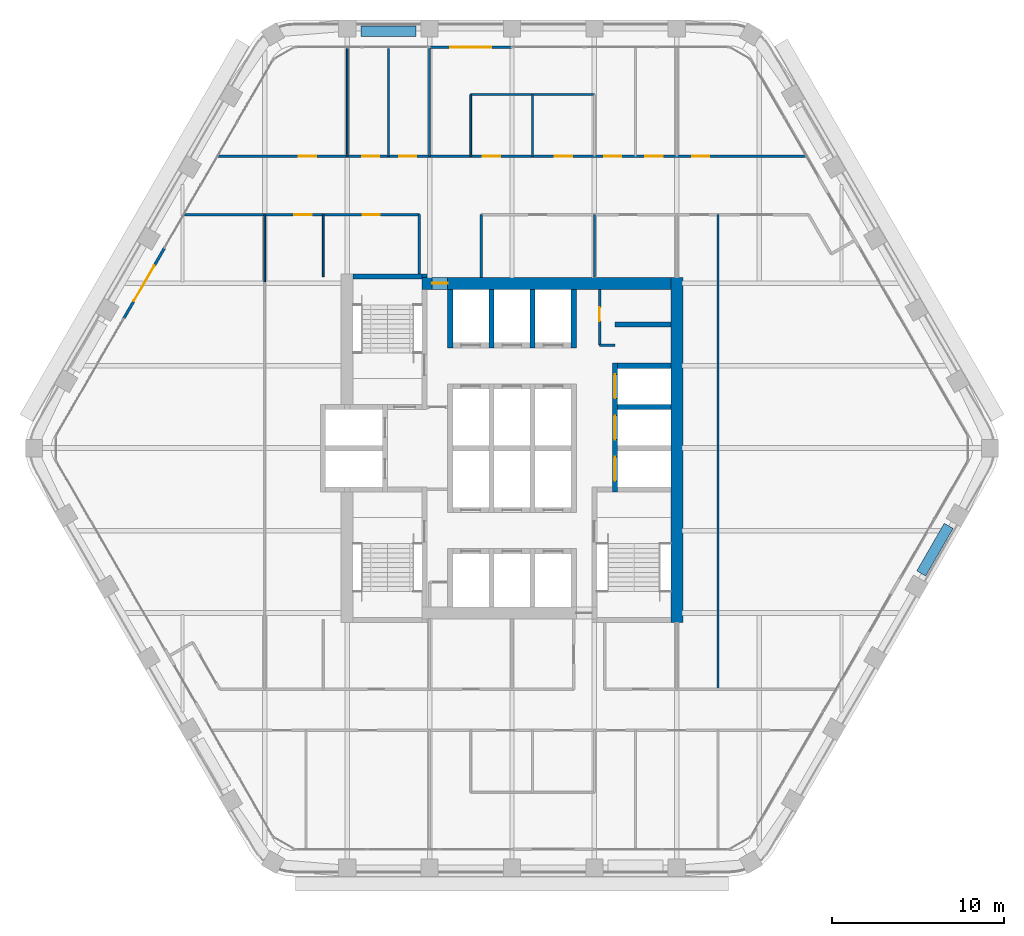
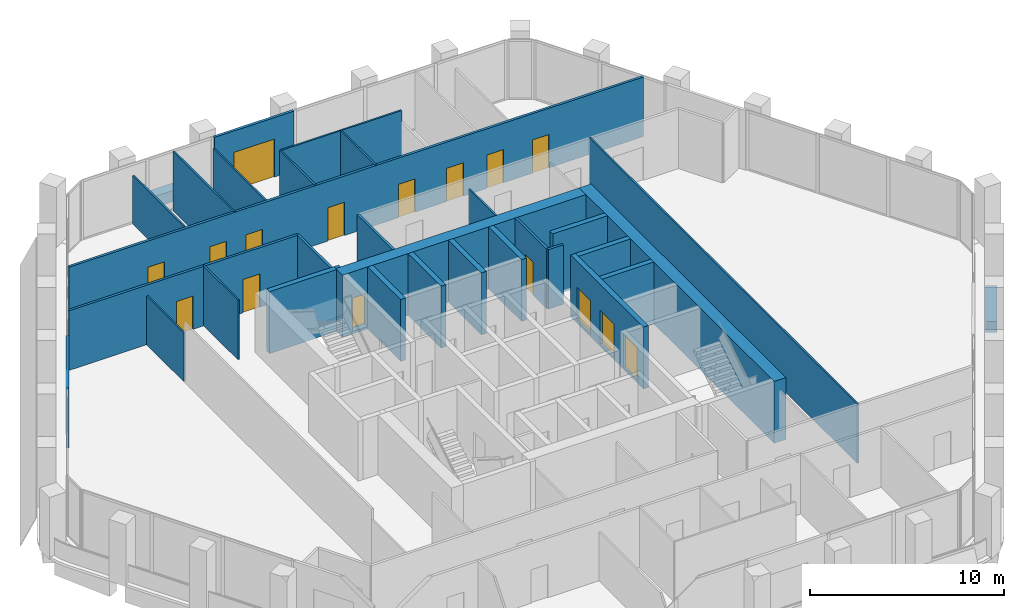
# One storey, part 11 of 15: 32 walls, 17 doors, 17 openings.
"""IFC4 building model written with IfcOpenShell, lengths in metres."""

from ifc_helpers import new_model, si_unit, direction, frame, frame_2d, origin, place, context, subcontext, project, spatial, rectangle, extrude, material, layer, layer_set, type_object, element, fill, save


model = new_model("IFC4")

# Units and contexts
model_context = context("Model", 3, precision=1e-05, world=origin(), true_north=direction((0.0, 1.0)))
body_context = subcontext(model_context, "Body", "Model", "MODEL_VIEW")
ifc_project = project(units=[si_unit("LENGTHUNIT", "METRE"), si_unit("AREAUNIT", "SQUARE_METRE"), si_unit("VOLUMEUNIT", "CUBIC_METRE"), si_unit("PLANEANGLEUNIT", "RADIAN"), si_unit("MASSUNIT", "GRAM", prefix="KILO")], contexts=[model_context])

# Site, building, storey
site_placement = place(None, origin())
site = spatial("IfcSite", under=ifc_project, at=site_placement, CompositionType="ELEMENT")
building_placement = place(site_placement, origin())
building = spatial("IfcBuilding", under=site, at=building_placement, Name="Kolab Exchange Tower", CompositionType="ELEMENT")
storey_placement = place(building_placement, frame((0.0, 0.0, 173.89990234375)))
storey = spatial("IfcBuildingStorey", under=building, at=storey_placement, Name="L36", CompositionType="ELEMENT", Elevation=173.89990234375)

# Wall, opening, door
ifc_material_1 = material(Name="Concrete C60/75", Category="concrete")
ifc_layer_1 = layer(ifc_material_1, 0.699951171875)
ifc_layer_set_1 = layer_set([ifc_layer_1], Name="Concrete C60/75")
wall_type_1 = type_object("IfcWallType", Name="CORE WALL 700 C60/75", PredefinedType="SHEAR", material=ifc_layer_set_1)
wall_1_placement = place(storey_placement, frame((-5.25, 9.60009765625, -0.14990234375), z_axis=(0.0, 0.0, 1.0), x_axis=(1.0, 0.0, 0.0)))
wall_1 = element("IfcWall", 1, at=wall_1_placement, inside=storey, type_object=wall_type_1, Name="wall/L36/core/031", PredefinedType="SHEAR", context=body_context, shape_type="SweptSolid", body=[
    extrude(rectangle(XDim=14.5, YDim=0.699951171875, at=frame_2d((7.25, 0.0))), origin(), (0.0, 0.0, 1.0), 3.89990234375),
])
opening_1_placement = place(wall_1_placement, frame((0.60009765625, 0.0, 0.14990234375)))
opening_1 = element("IfcOpeningElement", 2, at=opening_1_placement, cuts=wall_1, Name="Opening D6-289", PredefinedType="OPENING", context=body_context, shape_type="SweptSolid", body=[
    extrude(rectangle(XDim=0.89990234375, YDim=2.10009765625, at=frame_2d((0.449951171875, 1.050048828125))), frame((0.0, 0.35986328125, 0.0), z_axis=(0.0, -1.0, 0.0), x_axis=(1.0, 0.0, 0.0)), (0.0, 0.0, 1.0), 0.719970703125),
])
ifc_material_2 = material(Name="Steel S235", Category="steel")
door_type_1 = type_object("IfcDoorType", Name="CORE DOOR 900 EI 120", OperationType="SINGLE_SWING_LEFT", PredefinedType="DOOR", material=ifc_material_2)
door_1_placement = place(opening_1_placement, frame((0.89990234375, 0.0, 0.0), z_axis=(0.0, 0.0, 1.0), x_axis=(-1.0, 0.0, 0.0)))
door_1 = element("IfcDoor", 3, at=door_1_placement, inside=storey, type_object=door_type_1, Name="Core lobby door", OperationType="SINGLE_SWING_RIGHT", OverallHeight=2.10009765625, OverallWidth=0.89990234375, PredefinedType="DOOR", context=body_context, shape_type="SweptSolid", body=[
    extrude(rectangle(XDim=0.89990234375, YDim=2.10009765625, at=frame_2d((0.449951171875, 1.050048828125))), frame((0.0, 0.02490234375, 0.0), z_axis=(0.0, -1.0, 0.0), x_axis=(1.0, 0.0, 0.0)), (0.0, 0.0, 1.0), 0.050048828125),
])
fill(opening_1, door_1)

# Wall
wall_2_placement = place(storey_placement, frame((9.60009765625, -10.14990234375, -0.14990234375), z_axis=(0.0, 0.0, 1.0), x_axis=(0.0, 1.0, 0.0)))
element("IfcWall", 4, at=wall_2_placement, inside=storey, type_object=wall_type_1, Name="wall/L36/core/058", PredefinedType="SHEAR", context=body_context, shape_type="SweptSolid", body=[
    extrude(rectangle(XDim=20.099853515625, YDim=0.699951171875, at=frame_2d((10.0498046875, 0.0))), origin(), (0.0, 0.0, 1.0), 3.89990234375),
])

# Wall, opening, door
ifc_material_3 = material(Name="Aluminium EN AW-6063 T6", Category="aluminium")
ifc_layer_2 = layer(ifc_material_3, 0.159912109375)
ifc_layer_set_2 = layer_set([ifc_layer_2], Name="Aluminium EN AW-6063 T6")
wall_type_2 = type_object("IfcWallType", Name="DOOR SURROUND WALL 160 ALUMINIUM FRAMED", PredefinedType="PARTITIONING", material=ifc_layer_set_2)
wall_3_placement = place(storey_placement, frame((-4.77001953125, 23.361572265625, 0.0), z_axis=(0.0, 0.0, 1.0), x_axis=(1.0, 0.0, 0.0)))
wall_3 = element("IfcWall", 5, at=wall_3_placement, inside=storey, type_object=wall_type_2, Name="Door surround wall", PredefinedType="PARTITIONING", context=body_context, shape_type="SweptSolid", body=[
    extrude(rectangle(XDim=4.739990234375, YDim=0.159912109375, at=frame_2d((2.3701171875, 0.0))), origin(), (0.0, 0.0, 1.0), 3.75),
])
opening_2_placement = place(wall_3_placement, frame((1.169921875, 0.0, 0.0)))
opening_2 = element("IfcOpeningElement", 6, at=opening_2_placement, cuts=wall_3, Name="Opening GD1-064", PredefinedType="OPENING", context=body_context, shape_type="SweptSolid", body=[
    extrude(rectangle(XDim=2.39990234375, YDim=2.39990234375, at=frame_2d((1.199951171875, 1.199951171875))), frame((0.0, 0.08984375, 0.0), z_axis=(0.0, -1.0, 0.0), x_axis=(1.0, 0.0, 0.0)), (0.0, 0.0, 1.0), 0.179931640625),
])
door_type_2 = type_object("IfcDoorType", Name="LOGGIA SLIDING GLASS DOOR 2400 X 2400", OperationType="DOUBLE_DOOR_SINGLE_SWING", PredefinedType="DOOR", material=ifc_material_3)
door_2_placement = place(opening_2_placement, origin())
door_2 = element("IfcDoor", 7, at=door_2_placement, inside=storey, type_object=door_type_2, Name="Loggia door", OperationType="DOUBLE_DOOR_SLIDING", OverallHeight=2.39990234375, OverallWidth=2.39990234375, PredefinedType="DOOR", context=body_context, shape_type="SweptSolid", body=[
    extrude(rectangle(XDim=2.39990234375, YDim=2.39990234375, at=frame_2d((1.199951171875, 1.199951171875))), frame((0.0, 0.02490234375, 0.0), z_axis=(0.0, -1.0, 0.0), x_axis=(1.0, 0.0, 0.0)), (0.0, 0.0, 1.0), 0.050048828125),
])
fill(opening_2, door_2)

wall_4_placement = place(storey_placement, frame((-22.61669921875, 7.5498046875, 0.0), z_axis=(0.0, 0.0, 1.0), x_axis=(0.5000167099, 0.866015756104, 0.0)))
wall_4 = element("IfcWall", 8, at=wall_4_placement, inside=storey, type_object=wall_type_2, Name="Door surround wall", PredefinedType="PARTITIONING", context=body_context, shape_type="SweptSolid", body=[
    extrude(rectangle(XDim=4.739990234375, YDim=0.159912109375, at=frame_2d((2.3701171875, 0.0))), origin(), (0.0, 0.0, 1.0), 3.75),
])
opening_3_placement = place(wall_4_placement, frame((1.169921875, 0.0, 0.0)))
opening_3 = element("IfcOpeningElement", 9, at=opening_3_placement, cuts=wall_4, Name="Opening GD1-069", PredefinedType="OPENING", context=body_context, shape_type="SweptSolid", body=[
    extrude(rectangle(XDim=2.39990234375, YDim=2.39990234375, at=frame_2d((1.199951171875, 1.199951171875))), frame((0.0, 0.08984375, 0.0), z_axis=(0.0, -1.0, 0.0), x_axis=(1.0, 0.0, 0.0)), (0.0, 0.0, 1.0), 0.179931640625),
])
door_3_placement = place(opening_3_placement, origin())
door_3 = element("IfcDoor", 10, at=door_3_placement, inside=storey, type_object=door_type_2, Name="Loggia door", OperationType="DOUBLE_DOOR_SLIDING", OverallHeight=2.39990234375, OverallWidth=2.39990234375, PredefinedType="DOOR", context=body_context, shape_type="SweptSolid", body=[
    extrude(rectangle(XDim=2.39990234375, YDim=2.39990234375, at=frame_2d((1.199951171875, 1.199951171875))), frame((0.0, 0.02490234375, 0.0), z_axis=(0.0, -1.0, 0.0), x_axis=(1.0, 0.0, 0.0)), (0.0, 0.0, 1.0), 0.050048828125),
])
fill(opening_3, door_3)

# Walls
ifc_material_4 = material(Name="Concrete C50/60", Category="concrete")
ifc_layer_3 = layer(ifc_material_4, 0.300048828125)
ifc_layer_set_3 = layer_set([ifc_layer_3], Name="Concrete C50/60")
wall_type_3 = type_object("IfcWallType", Name="LIFT SHAFT WALL 300 C50/60", PredefinedType="STANDARD", material=ifc_layer_set_3)
for number, where, z_axis, x_axis, name in (
    (11, (6.14990234375, 2.39990234375, -0.14990234375), (0.0, 0.0, 1.0), (1.0, 0.0, 0.0), "wall/L36/core/022"),
    (12, (6.14990234375, 4.800048828125, -0.14990234375), (0.0, 0.0, 1.0), (1.0, 0.0, 0.0), "wall/L36/core/026"),
):
    element("IfcWall", number, at=place(storey_placement, frame(where, z_axis=z_axis, x_axis=x_axis)), inside=storey, type_object=wall_type_3, Name=name, PredefinedType="STANDARD", context=body_context, shape_type="SweptSolid", body=[
        extrude(rectangle(XDim=3.10009765625, YDim=0.300048828125, at=frame_2d((1.550048828125, 0.0))), origin(), (0.0, 0.0, 1.0), 3.89990234375),
    ])
wall_5_placement = place(storey_placement, frame((6.0, 7.199951171875, -0.14990234375), z_axis=(0.0, 0.0, 1.0), x_axis=(1.0, 0.0, 0.0)))
element("IfcWall", 13, at=wall_5_placement, inside=storey, type_object=wall_type_3, Name="wall/L36/core/030", PredefinedType="STANDARD", context=body_context, shape_type="SweptSolid", body=[
    extrude(rectangle(XDim=3.25, YDim=0.300048828125, at=frame_2d((1.625, 0.0))), origin(), (0.0, 0.0, 1.0), 3.89990234375),
])
for number, where, z_axis, x_axis, name in (
    (14, (-3.60009765625, 5.85009765625, -0.14990234375), (0.0, 0.0, 1.0), (0.0, 1.0, 0.0), "wall/L36/core/045"),
    (15, (-1.199951171875, 5.85009765625, -0.14990234375), (0.0, 0.0, 1.0), (0.0, 1.0, 0.0), "wall/L36/core/048"),
    (16, (1.199951171875, 5.85009765625, -0.14990234375), (0.0, 0.0, 1.0), (0.0, 1.0, 0.0), "wall/L36/core/051"),
    (17, (3.60009765625, 5.85009765625, -0.14990234375), (0.0, 0.0, 1.0), (0.0, 1.0, 0.0), "wall/L36/core/054"),
):
    element("IfcWall", number, at=place(storey_placement, frame(where, z_axis=z_axis, x_axis=x_axis)), inside=storey, type_object=wall_type_3, Name=name, PredefinedType="STANDARD", context=body_context, shape_type="SweptSolid", body=[
        extrude(rectangle(XDim=3.39990234375, YDim=0.300048828125, at=frame_2d((1.699951171875, 0.0))), origin(), (0.0, 0.0, 1.0), 3.89990234375),
    ])

# Wall, openings, doors
wall_6_placement = place(storey_placement, frame((6.0, -2.550048828125, -0.14990234375), z_axis=(0.0, 0.0, 1.0), x_axis=(0.0, 1.0, 0.0)))
wall_6 = element("IfcWall", 18, at=wall_6_placement, inside=storey, type_object=wall_type_3, Name="wall/L36/core/057", PredefinedType="STANDARD", context=body_context, shape_type="SweptSolid", body=[
    extrude(rectangle(XDim=7.5, YDim=0.300048828125, at=frame_2d((3.75, 0.0))), origin(), (0.0, 0.0, 1.0), 3.89990234375),
])
opening_4_placement = place(wall_6_placement, frame((0.64990234375, 0.0, 0.14990234375)))
opening_4 = element("IfcOpeningElement", 19, at=opening_4_placement, cuts=wall_6, Name="Opening LD3-037", PredefinedType="OPENING", context=body_context, shape_type="SweptSolid", body=[
    extrude(rectangle(XDim=1.39990234375, YDim=2.10009765625, at=frame_2d((0.699951171875, 1.050048828125))), frame((0.0, 0.16015625, 0.0), z_axis=(0.0, -1.0, 0.0), x_axis=(1.0, 0.0, 0.0)), (0.0, 0.0, 1.0), 0.320068359375),
])
opening_5_placement = place(wall_6_placement, frame((3.050048828125, 0.0, 0.14990234375)))
opening_5 = element("IfcOpeningElement", 20, at=opening_5_placement, cuts=wall_6, Name="Opening LD3-038", PredefinedType="OPENING", context=body_context, shape_type="SweptSolid", body=[
    extrude(rectangle(XDim=1.39990234375, YDim=2.10009765625, at=frame_2d((0.699951171875, 1.050048828125))), frame((0.0, 0.16015625, 0.0), z_axis=(0.0, -1.0, 0.0), x_axis=(1.0, 0.0, 0.0)), (0.0, 0.0, 1.0), 0.320068359375),
])
opening_6_placement = place(wall_6_placement, frame((5.449951171875, 0.0, 0.14990234375)))
opening_6 = element("IfcOpeningElement", 21, at=opening_6_placement, cuts=wall_6, Name="Opening LD3-039", PredefinedType="OPENING", context=body_context, shape_type="SweptSolid", body=[
    extrude(rectangle(XDim=1.39990234375, YDim=2.10009765625, at=frame_2d((0.699951171875, 1.050048828125))), frame((0.0, 0.16015625, 0.0), z_axis=(0.0, -1.0, 0.0), x_axis=(1.0, 0.0, 0.0)), (0.0, 0.0, 1.0), 0.320068359375),
])
ifc_material_5 = material(Name="Stainless steel 316", Category="steel")
door_type_3 = type_object("IfcDoorType", Name="LANDING DOOR 1400 SERVICE", OperationType="DOUBLE_DOOR_SLIDING", PredefinedType="DOOR", material=ifc_material_5)
door_4_placement = place(opening_4_placement, origin())
door_4 = element("IfcDoor", 22, at=door_4_placement, inside=storey, type_object=door_type_3, Name="Landing door SV1", OperationType="DOUBLE_DOOR_SLIDING", OverallHeight=2.10009765625, OverallWidth=1.39990234375, PredefinedType="DOOR", context=body_context, shape_type="SweptSolid", body=[
    extrude(rectangle(XDim=1.39990234375, YDim=2.10009765625, at=frame_2d((0.699951171875, 1.050048828125))), frame((0.0, 0.02490234375, 0.0), z_axis=(0.0, -1.0, 0.0), x_axis=(1.0, 0.0, 0.0)), (0.0, 0.0, 1.0), 0.050048828125),
])
fill(opening_4, door_4)
door_5_placement = place(opening_5_placement, origin())
door_5 = element("IfcDoor", 23, at=door_5_placement, inside=storey, type_object=door_type_3, Name="Landing door SV2", OperationType="DOUBLE_DOOR_SLIDING", OverallHeight=2.10009765625, OverallWidth=1.39990234375, PredefinedType="DOOR", context=body_context, shape_type="SweptSolid", body=[
    extrude(rectangle(XDim=1.39990234375, YDim=2.10009765625, at=frame_2d((0.699951171875, 1.050048828125))), frame((0.0, 0.02490234375, 0.0), z_axis=(0.0, -1.0, 0.0), x_axis=(1.0, 0.0, 0.0)), (0.0, 0.0, 1.0), 0.050048828125),
])
fill(opening_5, door_5)
door_6_placement = place(opening_6_placement, origin())
door_6 = element("IfcDoor", 24, at=door_6_placement, inside=storey, type_object=door_type_3, Name="Landing door SV3", OperationType="DOUBLE_DOOR_SLIDING", OverallHeight=2.10009765625, OverallWidth=1.39990234375, PredefinedType="DOOR", context=body_context, shape_type="SweptSolid", body=[
    extrude(rectangle(XDim=1.39990234375, YDim=2.10009765625, at=frame_2d((0.699951171875, 1.050048828125))), frame((0.0, 0.02490234375, 0.0), z_axis=(0.0, -1.0, 0.0), x_axis=(1.0, 0.0, 0.0)), (0.0, 0.0, 1.0), 0.050048828125),
])
fill(opening_6, door_6)

# Walls
ifc_material_6 = material(Name="Gypsum board", Category="gypsum")
ifc_layer_4 = layer(ifc_material_6, 0.10009765625)
ifc_layer_set_4 = layer_set([ifc_layer_4], Name="Gypsum board")
wall_type_4 = type_object("IfcWallType", Name="PARTITION 100", PredefinedType="PARTITIONING", material=ifc_layer_set_4)
wall_7_placement = place(storey_placement, frame((12.0, -14.04150390625, 0.0), z_axis=(0.0, 0.0, 1.0), x_axis=(0.0, 1.0, 0.0)))
element("IfcWall", 25, at=wall_7_placement, inside=storey, type_object=wall_type_4, Name="Partition 001", PredefinedType="PARTITIONING", context=body_context, shape_type="SweptSolid", body=[
    extrude(rectangle(XDim=27.6416015625, YDim=0.10009765625, at=frame_2d((13.82080078125, 0.0))), origin(), (0.0, 0.0, 1.0), 3.75),
])
wall_8_placement = place(storey_placement, frame((4.800048828125, 9.949951171875, 0.0), z_axis=(0.0, 0.0, 1.0), x_axis=(0.0, 1.0, 0.0)))
element("IfcWall", 26, at=wall_8_placement, inside=storey, type_object=wall_type_4, Name="Partition 010", PredefinedType="PARTITIONING", context=body_context, shape_type="SweptSolid", body=[
    extrude(rectangle(XDim=3.650146484375, YDim=0.10009765625, at=frame_2d((1.8251953125, 0.0))), origin(), (0.0, 0.0, 1.0), 3.066162109375),
])
for number, where, z_axis, x_axis, name in (
    (27, (1.199951171875, 17.0, 0.0), (0.0, 0.0, 1.0), (0.0, 1.0, 0.0), "Partition 014"),
    (28, (-2.39990234375, 17.0, 0.0), (0.0, 0.0, 1.0), (0.0, 1.0, 0.0), "Partition 018"),
):
    element("IfcWall", number, at=place(storey_placement, frame(where, z_axis=z_axis, x_axis=x_axis)), inside=storey, type_object=wall_type_4, Name=name, PredefinedType="PARTITIONING", context=body_context, shape_type="SweptSolid", body=[
        extrude(rectangle(XDim=3.60009765625, YDim=0.10009765625, at=frame_2d((1.800048828125, 0.0))), origin(), (0.0, 0.0, 1.0), 3.75),
    ])
wall_9_placement = place(storey_placement, frame((-4.800048828125, 17.0, 0.0), z_axis=(0.0, 0.0, 1.0), x_axis=(0.0, 1.0, 0.0)))
element("IfcWall", 29, at=wall_9_placement, inside=storey, type_object=wall_type_4, Name="Partition 021", PredefinedType="PARTITIONING", context=body_context, shape_type="SweptSolid", body=[
    extrude(rectangle(XDim=6.281494140625, YDim=0.10009765625, at=frame_2d((3.140625, 0.0))), origin(), (0.0, 0.0, 1.0), 3.066162109375),
])
wall_10_placement = place(storey_placement, frame((-7.199951171875, 17.0, 0.0), z_axis=(0.0, 0.0, 1.0), x_axis=(0.0, 1.0, 0.0)))
element("IfcWall", 30, at=wall_10_placement, inside=storey, type_object=wall_type_4, Name="Partition 024", PredefinedType="PARTITIONING", context=body_context, shape_type="SweptSolid", body=[
    extrude(rectangle(XDim=6.271484375, YDim=0.10009765625, at=frame_2d((3.1357421875, 0.0))), origin(), (0.0, 0.0, 1.0), 3.75),
])
wall_11_placement = place(storey_placement, frame((-9.60009765625, 17.0, 0.0), z_axis=(0.0, 0.0, 1.0), x_axis=(0.0, 1.0, 0.0)))
element("IfcWall", 31, at=wall_11_placement, inside=storey, type_object=wall_type_4, Name="Partition 025", PredefinedType="PARTITIONING", context=body_context, shape_type="SweptSolid", body=[
    extrude(rectangle(XDim=6.271484375, YDim=0.10009765625, at=frame_2d((3.1357421875, 0.0))), origin(), (0.0, 0.0, 1.0), 3.066162109375),
])
wall_12_placement = place(storey_placement, frame((-11.0, 10.0, 0.0), z_axis=(0.0, 0.0, 1.0), x_axis=(0.0, 1.0, 0.0)))
element("IfcWall", 32, at=wall_12_placement, inside=storey, type_object=wall_type_4, Name="Partition 027", PredefinedType="PARTITIONING", context=body_context, shape_type="SweptSolid", body=[
    extrude(rectangle(XDim=3.60009765625, YDim=0.10009765625, at=frame_2d((1.800048828125, 0.0))), origin(), (0.0, 0.0, 1.0), 3.75),
])
wall_13_placement = place(storey_placement, frame((-14.39990234375, 9.693603515625, 0.0), z_axis=(0.0, 0.0, 1.0), x_axis=(0.0, 1.0, 0.0)))
element("IfcWall", 33, at=wall_13_placement, inside=storey, type_object=wall_type_4, Name="Partition 029", PredefinedType="PARTITIONING", context=body_context, shape_type="SweptSolid", body=[
    extrude(rectangle(XDim=3.906494140625, YDim=0.10009765625, at=frame_2d((1.953125, 0.0))), origin(), (0.0, 0.0, 1.0), 3.066162109375),
])
wall_14_placement = place(storey_placement, frame((-2.39990234375, 20.60009765625, 0.0), z_axis=(0.0, 0.0, 1.0), x_axis=(1.0, 0.0, 0.0)))
element("IfcWall", 34, at=wall_14_placement, inside=storey, type_object=wall_type_4, Name="Partition 043", PredefinedType="PARTITIONING", context=body_context, shape_type="SweptSolid", body=[
    extrude(rectangle(XDim=7.199951171875, YDim=0.10009765625, at=frame_2d((3.60009765625, 0.0))), origin(), (0.0, 0.0, 1.0), 3.75),
])

# Wall, opening, door
ifc_layer_5 = layer(ifc_material_6, 0.14990234375)
ifc_layer_set_5 = layer_set([ifc_layer_5], Name="Gypsum board")
wall_type_5 = type_object("IfcWallType", Name="PARTITION 150 FIRE-RATED", PredefinedType="PARTITIONING", material=ifc_layer_set_5)
wall_15_placement = place(storey_placement, frame((5.10009765625, 6.0, 0.0), z_axis=(0.0, 0.0, 1.0), x_axis=(0.0, 1.0, 0.0)))
wall_15 = element("IfcWall", 35, at=wall_15_placement, inside=storey, type_object=wall_type_5, Name="Partition 008", PredefinedType="PARTITIONING", context=body_context, shape_type="SweptSolid", body=[
    extrude(rectangle(XDim=3.25, YDim=0.14990234375, at=frame_2d((1.625, 0.0))), origin(), (0.0, 0.0, 1.0), 3.75),
])
opening_7_placement = place(wall_15_placement, frame((1.39990234375, 0.0, 0.0)))
opening_7 = element("IfcOpeningElement", 36, at=opening_7_placement, cuts=wall_15, Name="Opening D7-033", PredefinedType="OPENING", context=body_context, shape_type="SweptSolid", body=[
    extrude(rectangle(XDim=0.800048828125, YDim=2.10009765625, at=frame_2d((0.39990234375, 1.050048828125))), frame((0.0, 0.0849609375, 0.0), z_axis=(0.0, -1.0, 0.0), x_axis=(1.0, 0.0, 0.0)), (0.0, 0.0, 1.0), 0.169921875),
])
door_type_4 = type_object("IfcDoorType", Name="FLUSH DOOR 800 FD60", OperationType="SINGLE_SWING_LEFT", PredefinedType="DOOR", material=ifc_material_2)
door_7_placement = place(opening_7_placement, frame((0.800048828125, 0.0, 0.0), z_axis=(0.0, 0.0, 1.0), x_axis=(-1.0, 0.0, 0.0)))
door_7 = element("IfcDoor", 37, at=door_7_placement, inside=storey, type_object=door_type_4, Name="Door L36-023", OperationType="SINGLE_SWING_LEFT", OverallHeight=2.10009765625, OverallWidth=0.800048828125, PredefinedType="DOOR", context=body_context, shape_type="SweptSolid", body=[
    extrude(rectangle(XDim=0.800048828125, YDim=2.10009765625, at=frame_2d((0.39990234375, 1.050048828125))), frame((0.0, 0.02490234375, 0.0), z_axis=(0.0, -1.0, 0.0), x_axis=(1.0, 0.0, 0.0)), (0.0, 0.0, 1.0), 0.050048828125),
])
fill(opening_7, door_7)

# Walls
wall_16_placement = place(storey_placement, frame((-1.800048828125, 9.949951171875, 0.0), z_axis=(0.0, 0.0, 1.0), x_axis=(0.0, 1.0, 0.0)))
element("IfcWall", 38, at=wall_16_placement, inside=storey, type_object=wall_type_5, Name="Partition 016", PredefinedType="PARTITIONING", context=body_context, shape_type="SweptSolid", body=[
    extrude(rectangle(XDim=3.650146484375, YDim=0.14990234375, at=frame_2d((1.8251953125, 0.0))), origin(), (0.0, 0.0, 1.0), 3.75),
])
wall_17_placement = place(storey_placement, frame((-5.39990234375, 10.14990234375, 0.0), z_axis=(0.0, 0.0, 1.0), x_axis=(0.0, 1.0, 0.0)))
element("IfcWall", 39, at=wall_17_placement, inside=storey, type_object=wall_type_5, Name="Partition 023", PredefinedType="PARTITIONING", context=body_context, shape_type="SweptSolid", body=[
    extrude(rectangle(XDim=3.4501953125, YDim=0.14990234375, at=frame_2d((1.72509765625, 0.0))), origin(), (0.0, 0.0, 1.0), 3.75),
])
wall_18_placement = place(storey_placement, frame((5.10009765625, 6.0, 0.0), z_axis=(0.0, 0.0, 1.0), x_axis=(1.0, 0.0, 0.0)))
element("IfcWall", 40, at=wall_18_placement, inside=storey, type_object=wall_type_5, Name="Partition 039", PredefinedType="PARTITIONING", context=body_context, shape_type="SweptSolid", body=[
    extrude(rectangle(XDim=0.89990234375, YDim=0.14990234375, at=frame_2d((0.449951171875, 0.0))), origin(), (0.0, 0.0, 1.0), 3.75),
])

# Wall, openings, doors
wall_19_placement = place(storey_placement, frame((-19.077392578125, 13.60009765625, 0.0), z_axis=(0.0, 0.0, 1.0), x_axis=(1.0, 0.0, 0.0)))
wall_19 = element("IfcWall", 41, at=wall_19_placement, inside=storey, type_object=wall_type_5, Name="Partition 040", PredefinedType="PARTITIONING", context=body_context, shape_type="SweptSolid", body=[
    extrude(rectangle(XDim=13.677490234375, YDim=0.14990234375, at=frame_2d((6.8388671875, 0.0))), origin(), (0.0, 0.0, 1.0), 3.75),
])
opening_8_placement = place(wall_19_placement, frame((10.37744140625, 0.0, 0.0)))
opening_8 = element("IfcOpeningElement", 42, at=opening_8_placement, cuts=wall_19, Name="Opening D1-475", PredefinedType="OPENING", context=body_context, shape_type="SweptSolid", body=[
    extrude(rectangle(XDim=1.0, YDim=2.10009765625, at=frame_2d((0.5, 1.050048828125))), frame((0.0, 0.0849609375, 0.0), z_axis=(0.0, -1.0, 0.0), x_axis=(1.0, 0.0, 0.0)), (0.0, 0.0, 1.0), 0.169921875),
])
opening_9_placement = place(wall_19_placement, frame((6.40234375, 0.0, 0.0)))
opening_9 = element("IfcOpeningElement", 43, at=opening_9_placement, cuts=wall_19, Name="Opening D1-493", PredefinedType="OPENING", context=body_context, shape_type="SweptSolid", body=[
    extrude(rectangle(XDim=1.0, YDim=2.10009765625, at=frame_2d((0.5, 1.050048828125))), frame((0.0, 0.0849609375, 0.0), z_axis=(0.0, -1.0, 0.0), x_axis=(1.0, 0.0, 0.0)), (0.0, 0.0, 1.0), 0.169921875),
])
door_type_5 = type_object("IfcDoorType", Name="FLUSH DOOR 1000 FD60", OperationType="SINGLE_SWING_LEFT", PredefinedType="DOOR", material=ifc_material_2)
door_8_placement = place(opening_8_placement, frame((1.0, 0.0, 0.0), z_axis=(0.0, 0.0, 1.0), x_axis=(-1.0, 0.0, 0.0)))
door_8 = element("IfcDoor", 44, at=door_8_placement, inside=storey, type_object=door_type_5, Name="Door L36-033", OperationType="SINGLE_SWING_LEFT", OverallHeight=2.10009765625, OverallWidth=1.0, PredefinedType="DOOR", context=body_context, shape_type="SweptSolid", body=[
    extrude(rectangle(XDim=1.0, YDim=2.10009765625, at=frame_2d((0.5, 1.050048828125))), frame((0.0, 0.02490234375, 0.0), z_axis=(0.0, -1.0, 0.0), x_axis=(1.0, 0.0, 0.0)), (0.0, 0.0, 1.0), 0.050048828125),
])
fill(opening_8, door_8)
door_9_placement = place(opening_9_placement, frame((1.0, 0.0, 0.0), z_axis=(0.0, 0.0, 1.0), x_axis=(-1.0, 0.0, 0.0)))
door_9 = element("IfcDoor", 45, at=door_9_placement, inside=storey, type_object=door_type_5, Name="Door L36-056", OperationType="SINGLE_SWING_RIGHT", OverallHeight=2.10009765625, OverallWidth=1.0, PredefinedType="DOOR", context=body_context, shape_type="SweptSolid", body=[
    extrude(rectangle(XDim=1.0, YDim=2.10009765625, at=frame_2d((0.5, 1.050048828125))), frame((0.0, 0.02490234375, 0.0), z_axis=(0.0, -1.0, 0.0), x_axis=(1.0, 0.0, 0.0)), (0.0, 0.0, 1.0), 0.050048828125),
])
fill(opening_9, door_9)

wall_20_placement = place(storey_placement, frame((-17.114501953125, 17.0, 0.0), z_axis=(0.0, 0.0, 1.0), x_axis=(1.0, 0.0, 0.0)))
wall_20 = element("IfcWall", 46, at=wall_20_placement, inside=storey, type_object=wall_type_5, Name="Partition 042", PredefinedType="PARTITIONING", context=body_context, shape_type="SweptSolid", body=[
    extrude(rectangle(XDim=34.22900390625, YDim=0.14990234375, at=frame_2d((17.114501953125, 0.0))), origin(), (0.0, 0.0, 1.0), 3.75),
])
opening_10_placement = place(wall_20_placement, frame((15.41943359375, 0.0, 0.0)))
opening_10 = element("IfcOpeningElement", 47, at=opening_10_placement, cuts=wall_20, Name="Opening D1-477", PredefinedType="OPENING", context=body_context, shape_type="SweptSolid", body=[
    extrude(rectangle(XDim=1.0, YDim=2.10009765625, at=frame_2d((0.5, 1.050048828125))), frame((0.0, 0.0849609375, 0.0), z_axis=(0.0, -1.0, 0.0), x_axis=(1.0, 0.0, 0.0)), (0.0, 0.0, 1.0), 0.169921875),
])
opening_11_placement = place(wall_20_placement, frame((19.614501953125, 0.0, 0.0)))
opening_11 = element("IfcOpeningElement", 48, at=opening_11_placement, cuts=wall_20, Name="Opening D1-478", PredefinedType="OPENING", context=body_context, shape_type="SweptSolid", body=[
    extrude(rectangle(XDim=1.0, YDim=2.10009765625, at=frame_2d((0.5, 1.050048828125))), frame((0.0, 0.0849609375, 0.0), z_axis=(0.0, -1.0, 0.0), x_axis=(1.0, 0.0, 0.0)), (0.0, 0.0, 1.0), 0.169921875),
])
opening_12_placement = place(wall_20_placement, frame((4.701171875, 0.0, 0.0)))
opening_12 = element("IfcOpeningElement", 49, at=opening_12_placement, cuts=wall_20, Name="Opening D1-479", PredefinedType="OPENING", context=body_context, shape_type="SweptSolid", body=[
    extrude(rectangle(XDim=1.0, YDim=2.10009765625, at=frame_2d((0.5, 1.050048828125))), frame((0.0, 0.0849609375, 0.0), z_axis=(0.0, -1.0, 0.0), x_axis=(1.0, 0.0, 0.0)), (0.0, 0.0, 1.0), 0.169921875),
])
opening_13_placement = place(wall_20_placement, frame((8.389404296875, 0.0, 0.0)))
opening_13 = element("IfcOpeningElement", 50, at=opening_13_placement, cuts=wall_20, Name="Opening D1-480", PredefinedType="OPENING", context=body_context, shape_type="SweptSolid", body=[
    extrude(rectangle(XDim=1.0, YDim=2.10009765625, at=frame_2d((0.5, 1.050048828125))), frame((0.0, 0.0849609375, 0.0), z_axis=(0.0, -1.0, 0.0), x_axis=(1.0, 0.0, 0.0)), (0.0, 0.0, 1.0), 0.169921875),
])
opening_14_placement = place(wall_20_placement, frame((10.539306640625, 0.0, 0.0)))
opening_14 = element("IfcOpeningElement", 51, at=opening_14_placement, cuts=wall_20, Name="Opening D1-481", PredefinedType="OPENING", context=body_context, shape_type="SweptSolid", body=[
    extrude(rectangle(XDim=1.0, YDim=2.10009765625, at=frame_2d((0.5, 1.050048828125))), frame((0.0, 0.0849609375, 0.0), z_axis=(0.0, -1.0, 0.0), x_axis=(1.0, 0.0, 0.0)), (0.0, 0.0, 1.0), 0.169921875),
])
opening_15_placement = place(wall_20_placement, frame((22.489501953125, 0.0, 0.0)))
opening_15 = element("IfcOpeningElement", 52, at=opening_15_placement, cuts=wall_20, Name="Opening D1-482", PredefinedType="OPENING", context=body_context, shape_type="SweptSolid", body=[
    extrude(rectangle(XDim=1.0, YDim=2.10009765625, at=frame_2d((0.5, 1.050048828125))), frame((0.0, 0.0849609375, 0.0), z_axis=(0.0, -1.0, 0.0), x_axis=(1.0, 0.0, 0.0)), (0.0, 0.0, 1.0), 0.169921875),
])
opening_16_placement = place(wall_20_placement, frame((24.889404296875, 0.0, 0.0)))
opening_16 = element("IfcOpeningElement", 53, at=opening_16_placement, cuts=wall_20, Name="Opening D1-483", PredefinedType="OPENING", context=body_context, shape_type="SweptSolid", body=[
    extrude(rectangle(XDim=1.0, YDim=2.10009765625, at=frame_2d((0.5, 1.050048828125))), frame((0.0, 0.0849609375, 0.0), z_axis=(0.0, -1.0, 0.0), x_axis=(1.0, 0.0, 0.0)), (0.0, 0.0, 1.0), 0.169921875),
])
opening_17_placement = place(wall_20_placement, frame((27.599365234375, 0.0, 0.0)))
opening_17 = element("IfcOpeningElement", 54, at=opening_17_placement, cuts=wall_20, Name="Opening D1-484", PredefinedType="OPENING", context=body_context, shape_type="SweptSolid", body=[
    extrude(rectangle(XDim=1.0, YDim=2.10009765625, at=frame_2d((0.5, 1.050048828125))), frame((0.0, 0.0849609375, 0.0), z_axis=(0.0, -1.0, 0.0), x_axis=(1.0, 0.0, 0.0)), (0.0, 0.0, 1.0), 0.169921875),
])
door_10_placement = place(opening_10_placement, origin())
door_10 = element("IfcDoor", 55, at=door_10_placement, inside=storey, type_object=door_type_5, Name="Door L36-038", OperationType="SINGLE_SWING_LEFT", OverallHeight=2.10009765625, OverallWidth=1.0, PredefinedType="DOOR", context=body_context, shape_type="SweptSolid", body=[
    extrude(rectangle(XDim=1.0, YDim=2.10009765625, at=frame_2d((0.5, 1.050048828125))), frame((0.0, 0.02490234375, 0.0), z_axis=(0.0, -1.0, 0.0), x_axis=(1.0, 0.0, 0.0)), (0.0, 0.0, 1.0), 0.050048828125),
])
fill(opening_10, door_10)
door_11_placement = place(opening_11_placement, origin())
door_11 = element("IfcDoor", 56, at=door_11_placement, inside=storey, type_object=door_type_5, Name="Door L36-039", OperationType="SINGLE_SWING_RIGHT", OverallHeight=2.10009765625, OverallWidth=1.0, PredefinedType="DOOR", context=body_context, shape_type="SweptSolid", body=[
    extrude(rectangle(XDim=1.0, YDim=2.10009765625, at=frame_2d((0.5, 1.050048828125))), frame((0.0, 0.02490234375, 0.0), z_axis=(0.0, -1.0, 0.0), x_axis=(1.0, 0.0, 0.0)), (0.0, 0.0, 1.0), 0.050048828125),
])
fill(opening_11, door_11)
door_12_placement = place(opening_12_placement, origin())
door_12 = element("IfcDoor", 57, at=door_12_placement, inside=storey, type_object=door_type_5, Name="Door L36-040", OperationType="SINGLE_SWING_RIGHT", OverallHeight=2.10009765625, OverallWidth=1.0, PredefinedType="DOOR", context=body_context, shape_type="SweptSolid", body=[
    extrude(rectangle(XDim=1.0, YDim=2.10009765625, at=frame_2d((0.5, 1.050048828125))), frame((0.0, 0.02490234375, 0.0), z_axis=(0.0, -1.0, 0.0), x_axis=(1.0, 0.0, 0.0)), (0.0, 0.0, 1.0), 0.050048828125),
])
fill(opening_12, door_12)
door_13_placement = place(opening_13_placement, origin())
door_13 = element("IfcDoor", 58, at=door_13_placement, inside=storey, type_object=door_type_5, Name="Door L36-041", OperationType="SINGLE_SWING_RIGHT", OverallHeight=2.10009765625, OverallWidth=1.0, PredefinedType="DOOR", context=body_context, shape_type="SweptSolid", body=[
    extrude(rectangle(XDim=1.0, YDim=2.10009765625, at=frame_2d((0.5, 1.050048828125))), frame((0.0, 0.02490234375, 0.0), z_axis=(0.0, -1.0, 0.0), x_axis=(1.0, 0.0, 0.0)), (0.0, 0.0, 1.0), 0.050048828125),
])
fill(opening_13, door_13)
door_14_placement = place(opening_14_placement, origin())
door_14 = element("IfcDoor", 59, at=door_14_placement, inside=storey, type_object=door_type_5, Name="Door L36-042", OperationType="SINGLE_SWING_LEFT", OverallHeight=2.10009765625, OverallWidth=1.0, PredefinedType="DOOR", context=body_context, shape_type="SweptSolid", body=[
    extrude(rectangle(XDim=1.0, YDim=2.10009765625, at=frame_2d((0.5, 1.050048828125))), frame((0.0, 0.02490234375, 0.0), z_axis=(0.0, -1.0, 0.0), x_axis=(1.0, 0.0, 0.0)), (0.0, 0.0, 1.0), 0.050048828125),
])
fill(opening_14, door_14)
door_15_placement = place(opening_15_placement, origin())
door_15 = element("IfcDoor", 60, at=door_15_placement, inside=storey, type_object=door_type_5, Name="Door L36-043", OperationType="SINGLE_SWING_LEFT", OverallHeight=2.10009765625, OverallWidth=1.0, PredefinedType="DOOR", context=body_context, shape_type="SweptSolid", body=[
    extrude(rectangle(XDim=1.0, YDim=2.10009765625, at=frame_2d((0.5, 1.050048828125))), frame((0.0, 0.02490234375, 0.0), z_axis=(0.0, -1.0, 0.0), x_axis=(1.0, 0.0, 0.0)), (0.0, 0.0, 1.0), 0.050048828125),
])
fill(opening_15, door_15)
door_16_placement = place(opening_16_placement, origin())
door_16 = element("IfcDoor", 61, at=door_16_placement, inside=storey, type_object=door_type_5, Name="Door L36-044", OperationType="SINGLE_SWING_LEFT", OverallHeight=2.10009765625, OverallWidth=1.0, PredefinedType="DOOR", context=body_context, shape_type="SweptSolid", body=[
    extrude(rectangle(XDim=1.0, YDim=2.10009765625, at=frame_2d((0.5, 1.050048828125))), frame((0.0, 0.02490234375, 0.0), z_axis=(0.0, -1.0, 0.0), x_axis=(1.0, 0.0, 0.0)), (0.0, 0.0, 1.0), 0.050048828125),
])
fill(opening_16, door_16)
door_17_placement = place(opening_17_placement, origin())
door_17 = element("IfcDoor", 62, at=door_17_placement, inside=storey, type_object=door_type_5, Name="Door L36-045", OperationType="SINGLE_SWING_LEFT", OverallHeight=2.10009765625, OverallWidth=1.0, PredefinedType="DOOR", context=body_context, shape_type="SweptSolid", body=[
    extrude(rectangle(XDim=1.0, YDim=2.10009765625, at=frame_2d((0.5, 1.050048828125))), frame((0.0, 0.02490234375, 0.0), z_axis=(0.0, -1.0, 0.0), x_axis=(1.0, 0.0, 0.0)), (0.0, 0.0, 1.0), 0.050048828125),
])
fill(opening_17, door_17)

# Walls
ifc_material_7 = material(Name="Granite facing", Category="masonry")
ifc_layer_6 = layer(ifc_material_7, 0.0400390625)
ifc_material_8 = material(Name="Concrete C40/50 precast", Category="concrete")
ifc_layer_7 = layer(ifc_material_8, 0.56005859375)
ifc_layer_set_6 = layer_set([ifc_layer_6, ifc_layer_7], Name="Concrete C40/50 precast")
wall_type_6 = type_object("IfcWallType", Name="PLANTER BOX 600 X 700 SOIL DEPTH 550", PredefinedType="USERDEFINED", material=ifc_layer_set_6)
wall_21_placement = place(storey_placement, frame((-8.800048828125, 24.29150390625, 0.0), z_axis=(0.0, 0.0, 1.0), x_axis=(1.0, 0.0, 0.0)))
element("IfcWall", 63, at=wall_21_placement, inside=storey, type_object=wall_type_6, Name="Planter", ObjectType="PLANTER", PredefinedType="USERDEFINED", context=body_context, shape_type="SweptSolid", body=[
    extrude(rectangle(XDim=3.199951171875, YDim=0.60009765625, at=frame_2d((1.60009765625, 0.0))), origin(), (0.0, 0.0, 1.0), 0.7001953125),
])
wall_22_placement = place(storey_placement, frame((25.43701171875, -4.524658203125, 0.0), z_axis=(0.0, 0.0, 1.0), x_axis=(-0.499938187974, -0.866061088033, 0.0)))
element("IfcWall", 64, at=wall_22_placement, inside=storey, type_object=wall_type_6, Name="Planter", ObjectType="PLANTER", PredefinedType="USERDEFINED", context=body_context, shape_type="SweptSolid", body=[
    extrude(rectangle(XDim=3.2001953125, YDim=0.60009765625, at=frame_2d((1.60009765625, 0.0))), origin(), (0.0, 0.0, 1.0), 0.7001953125),
])
ifc_layer_8 = layer(ifc_material_4, 0.300048828125)
ifc_layer_set_7 = layer_set([ifc_layer_8], Name="Concrete C50/60")
wall_type_7 = type_object("IfcWallType", Name="STAIR ENCLOSURE WALL 300 C50/60", PredefinedType="STANDARD", material=ifc_layer_set_7)
wall_23_placement = place(storey_placement, frame((-9.25, 10.0, -0.14990234375), z_axis=(0.0, 0.0, 1.0), x_axis=(1.0, 0.0, 0.0)))
element("IfcWall", 65, at=wall_23_placement, inside=storey, type_object=wall_type_7, Name="wall/L36/core/032", PredefinedType="STANDARD", context=body_context, shape_type="SweptSolid", body=[
    extrude(rectangle(XDim=4.0, YDim=0.300048828125, at=frame_2d((2.0, 0.0))), origin(), (0.0, 0.0, 1.0), 3.89990234375),
])
wall_24_placement = place(storey_placement, frame((-5.10009765625, 9.949951171875, -0.14990234375), z_axis=(0.0, 0.0, 1.0), x_axis=(0.0, 1.0, 0.0)))
element("IfcWall", 66, at=wall_24_placement, inside=storey, type_object=wall_type_7, Name="wall/L36/core/042", PredefinedType="STANDARD", context=body_context, shape_type="SweptSolid", body=[
    extrude(rectangle(XDim=0.199951171875, YDim=0.300048828125, at=frame_2d((0.10009765625, 0.0))), origin(), (0.0, 0.0, 1.0), 3.89990234375),
])

save(model, "model.ifc")
